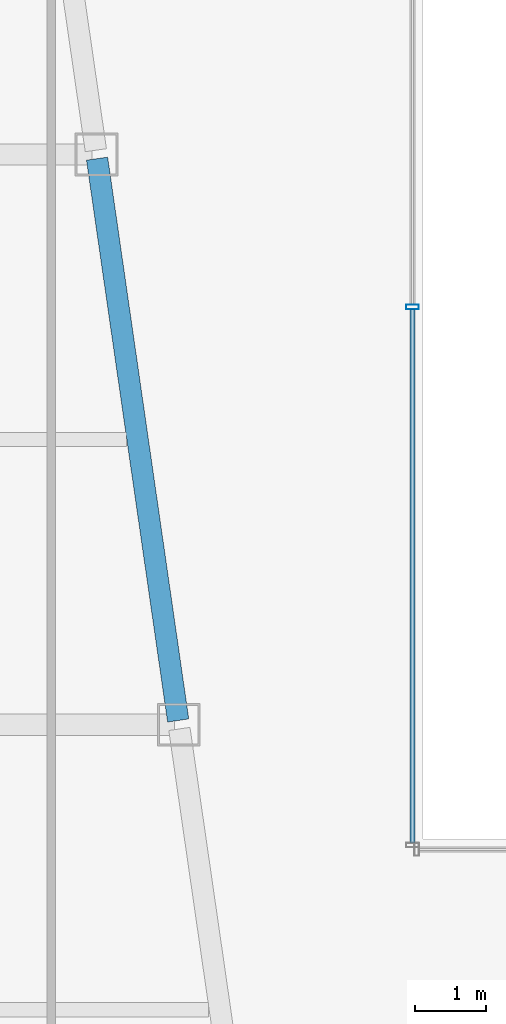
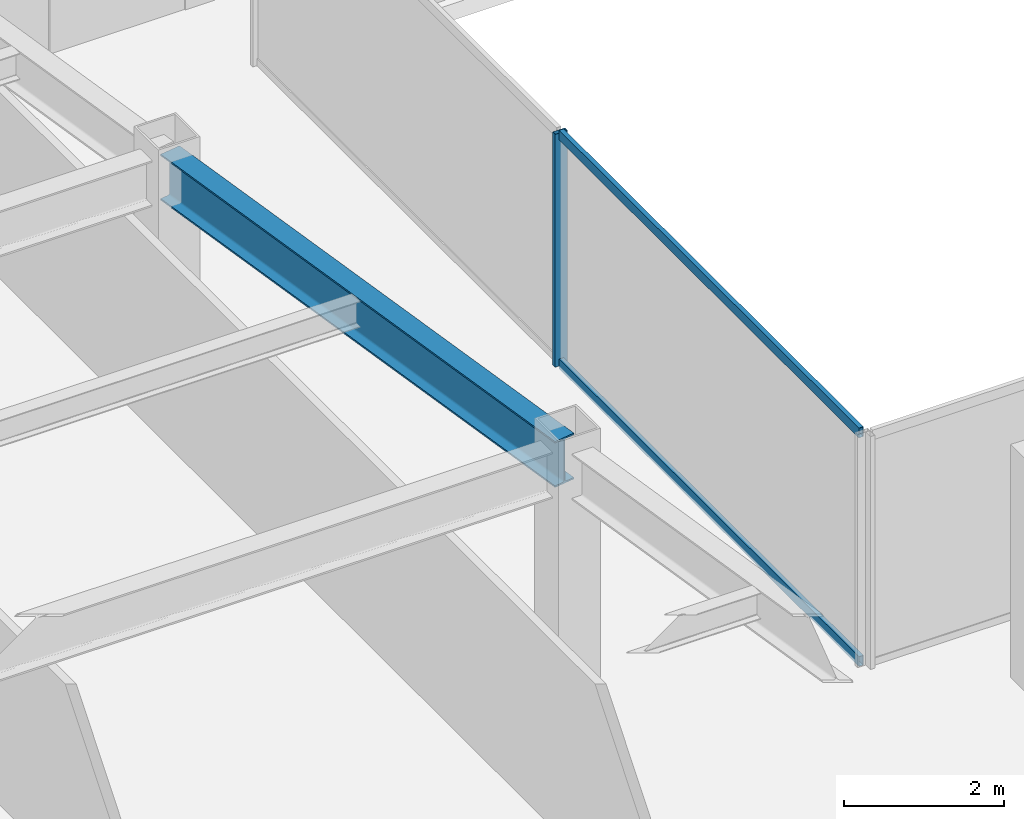
# One storey, part 12 of 40: 3 members, 1 beam, 1 element without a shape of its own.
"""IFC4 building model written with IfcOpenShell, lengths in metres."""

from ifc_helpers import new_model, si_unit, direction, frame, origin, origin_2d, place, context, subcontext, project, spatial, hollow_rectangle, i_section, extrude, material, material_profile, profile_set, type_object, element, aggregate, save


model = new_model("IFC4")

# Units and contexts
model_context = context("Model", 3, precision=1e-05, world=origin(), true_north=direction((0.0, 1.0)))
body_context = subcontext(model_context, "Body", "Model", "MODEL_VIEW")
ifc_project = project(units=[si_unit("LENGTHUNIT", "METRE"), si_unit("AREAUNIT", "SQUARE_METRE"), si_unit("VOLUMEUNIT", "CUBIC_METRE"), si_unit("PLANEANGLEUNIT", "RADIAN"), si_unit("MASSUNIT", "GRAM", prefix="KILO")], contexts=[model_context])

# Site, building, storey
site_placement = place(None, origin())
site = spatial("IfcSite", under=ifc_project, at=site_placement, CompositionType="ELEMENT")
building_placement = place(site_placement, origin())
building = spatial("IfcBuilding", under=site, at=building_placement, Name="Saevonmaru Cultural Tower", CompositionType="ELEMENT")
storey_placement = place(building_placement, frame((0.0, 0.0, 129.60009765625)))
storey = spatial("IfcBuildingStorey", under=building, at=storey_placement, Name="L27", CompositionType="ELEMENT", Elevation=129.60009765625)

# Beam
ifc_material_1 = material(Name="Steel SM355", Category="steel")
ifc_material_profile_1 = material_profile(ifc_material_1, i_section(OverallWidth=0.300048828125, OverallDepth=0.699951171875, WebThickness=0.012939453125, FlangeThickness=0.02392578125, FilletRadius=0.02587890625, at=origin_2d()), Name="H-700x300x13x24")
ifc_profile_set_1 = profile_set([ifc_material_profile_1], Name="Steel SM355")
beam_type = type_object("IfcBeamType", Name="BM-G-H700", PredefinedType="BEAM", material=ifc_profile_set_1)
beam_placement = place(storey_placement, frame((20.763427734375, 24.059326171875, 3.199951171875), z_axis=(-0.142902032203, 0.989736838353, 0.0), x_axis=(-0.989736838353, -0.142902032203, 0.0)))
element("IfcBeam", 1, at=beam_placement, inside=storey, type_object=beam_type, Name="L27 West Atrium Girder 3", PredefinedType="BEAM", context=body_context, shape_type="SweptSolid", body=[
    extrude(i_section(OverallWidth=0.300048828125, OverallDepth=0.699951171875, WebThickness=0.012939453125, FlangeThickness=0.02392578125, FilletRadius=0.02587890625, at=origin_2d()), origin(), (0.0, 0.0, 1.0), 7.963134765625),
])

# Curtain wall, members
ifc_material_2 = material(Name="Satin Bronze Anodised Aluminium", Category="aluminium")
curtain_wall_type = type_object("IfcCurtainWallType", Name="CW-ATR-GLZ", PredefinedType="NOTDEFINED", material=ifc_material_2)
curtain_wall_placement = place(storey_placement, origin())
curtain_wall = element("IfcCurtainWall", 2, at=curtain_wall_placement, inside=storey, type_object=curtain_wall_type, Name="L27 Vertical Atrium Glazed Smoke Screen 4", PredefinedType="NOTDEFINED")
ifc_material_profile_2 = material_profile(ifc_material_2, hollow_rectangle(XDim=0.06494140625, YDim=0.179931640625, WallThickness=0.00390625, at=origin_2d()), Name="ALU-MULL-180x65x4")
ifc_profile_set_2 = profile_set([ifc_material_profile_2], Name="Satin Bronze Anodised Aluminium")
member_type_1 = type_object("IfcMemberType", Name="ML-CW-INT-180x65", PredefinedType="MULLION", material=ifc_profile_set_2)
member_1_placement = place(storey_placement, frame((24.050048828125, 29.860107421875, 0.0), z_axis=(0.0, 0.0, 1.0), x_axis=(0.0, -1.0, 0.0)))
member_1 = element("IfcMember", 3, at=member_1_placement, type_object=member_type_1, Name="CW-ATR-L27-4 mullion 2", PredefinedType="MULLION", context=body_context, shape_type="SweptSolid", body=[
    extrude(hollow_rectangle(XDim=0.06494140625, YDim=0.179931640625, WallThickness=0.00390625, at=origin_2d()), origin(), (0.0, 0.0, 1.0), 3.5498046875),
])
ifc_material_profile_3 = material_profile(ifc_material_2, hollow_rectangle(XDim=0.06494140625, YDim=0.14990234375, WallThickness=0.00390625, at=origin_2d()), Name="ALU-TRAN-150x65x4")
ifc_profile_set_3 = profile_set([ifc_material_profile_3], Name="Satin Bronze Anodised Aluminium")
member_type_2 = type_object("IfcMemberType", Name="TR-CW-INT-150x65", PredefinedType="USERDEFINED", material=ifc_profile_set_3)
member_2_placement = place(storey_placement, frame((24.050048828125, 29.827392578125, 0.032470703125), z_axis=(0.0, -1.0, 0.0), x_axis=(1.0, 0.0, 0.0)))
member_2 = element("IfcMember", 4, at=member_2_placement, type_object=member_type_2, Name="CW-ATR-L27-4 transom 2.1", ObjectType="TRANSOM", PredefinedType="USERDEFINED", context=body_context, shape_type="SweptSolid", body=[
    extrude(hollow_rectangle(XDim=0.06494140625, YDim=0.14990234375, WallThickness=0.00390625, at=origin_2d()), origin(), (0.0, 0.0, 1.0), 7.48486328125),
])
member_3_placement = place(storey_placement, frame((24.050048828125, 29.827392578125, 3.517333984375), z_axis=(0.0, -1.0, 0.0), x_axis=(1.0, 0.0, 0.0)))
member_3 = element("IfcMember", 5, at=member_3_placement, type_object=member_type_2, Name="CW-ATR-L27-4 transom 2.2", ObjectType="TRANSOM", PredefinedType="USERDEFINED", context=body_context, shape_type="SweptSolid", body=[
    extrude(hollow_rectangle(XDim=0.06494140625, YDim=0.14990234375, WallThickness=0.00390625, at=origin_2d()), origin(), (0.0, 0.0, 1.0), 7.48486328125),
])
aggregate(curtain_wall, [member_1, member_2, member_3])

save(model, "model.ifc")
